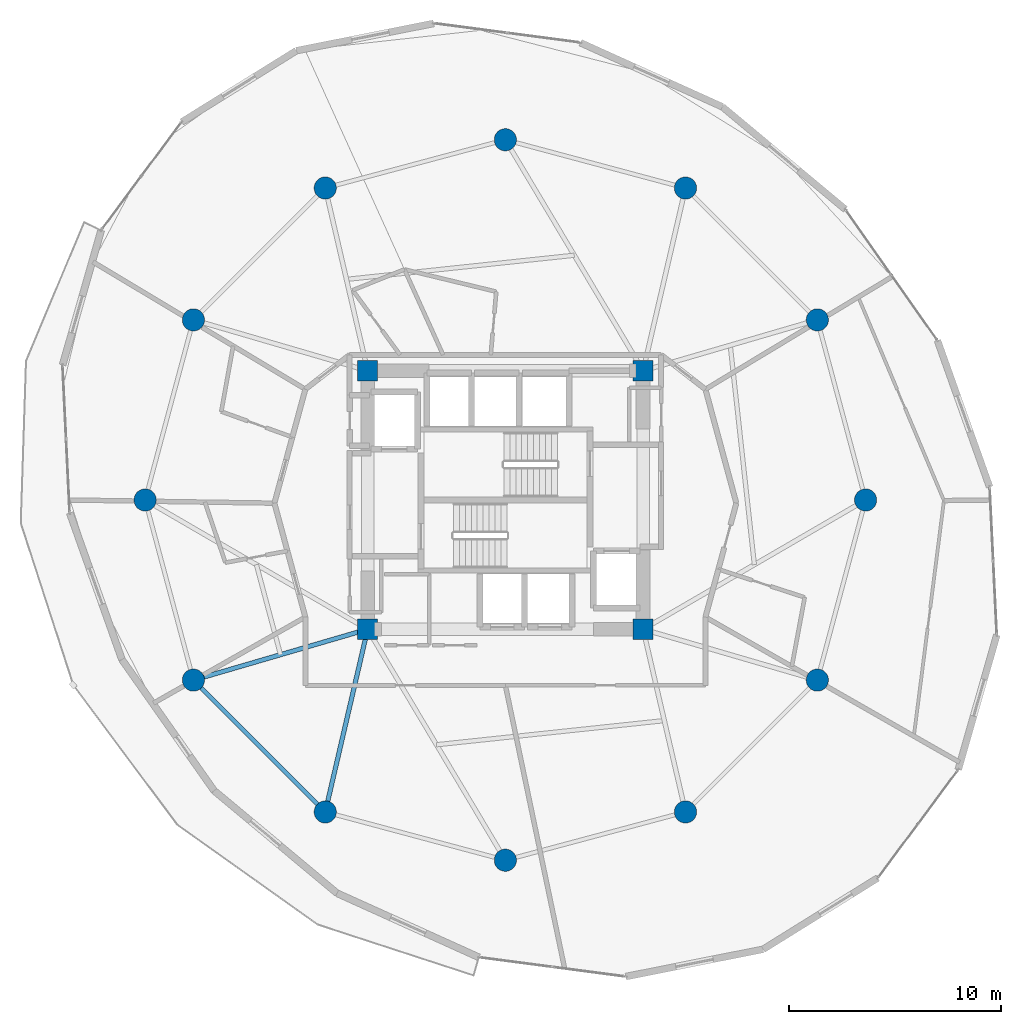
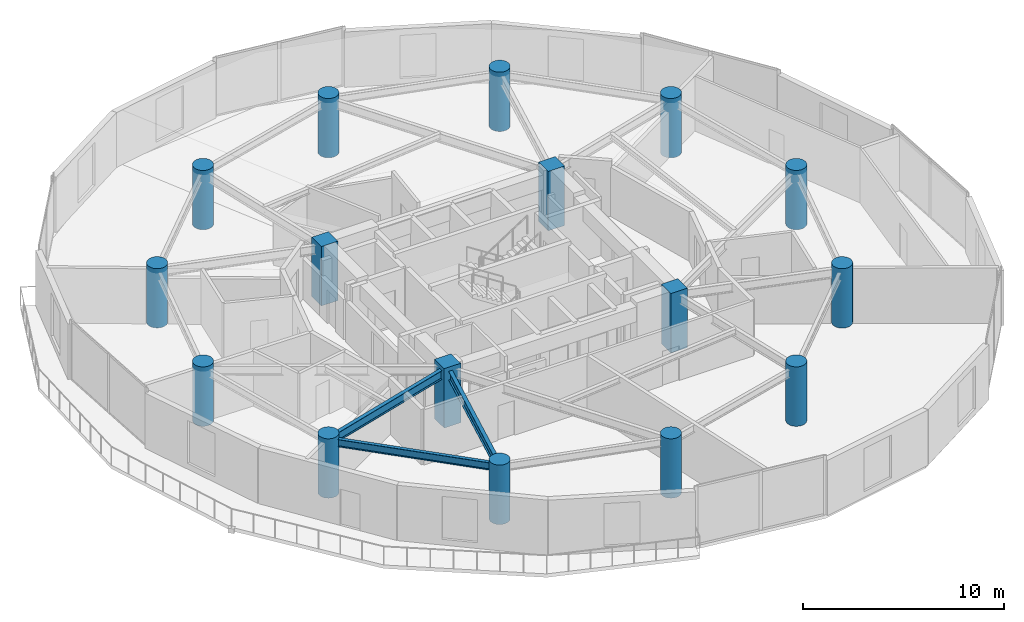
# One storey, part 1 of 22: 16 columns, 3 beams.
"""IFC4 building model written with IfcOpenShell, lengths in metres."""

from ifc_helpers import new_model, si_unit, direction, frame, origin, origin_2d, place, context, subcontext, project, spatial, rectangle, circle, i_section, extrude, material, material_profile, profile_set, type_object, element, save


model = new_model("IFC4")

# Units and contexts
model_context = context("Model", 3, precision=1e-05, world=origin(), true_north=direction((0.0, 1.0)))
body_context = subcontext(model_context, "Body", "Model", "MODEL_VIEW")
ifc_project = project(units=[si_unit("LENGTHUNIT", "METRE"), si_unit("AREAUNIT", "SQUARE_METRE"), si_unit("VOLUMEUNIT", "CUBIC_METRE"), si_unit("PLANEANGLEUNIT", "RADIAN"), si_unit("MASSUNIT", "GRAM", prefix="KILO")], contexts=[model_context])

# Site, building, storey
site_placement = place(None, origin())
site = spatial("IfcSite", under=ifc_project, at=site_placement, CompositionType="ELEMENT")
building_placement = place(site_placement, origin())
building = spatial("IfcBuilding", under=site, at=building_placement, Name="Solvirekh Grand Hotel", CompositionType="ELEMENT")
storey_placement = place(building_placement, frame((0.0, 0.0, 153.0)))
storey = spatial("IfcBuildingStorey", under=building, at=storey_placement, Name="L39", CompositionType="ELEMENT", Elevation=153.0)

# Columns
ifc_material_1 = material(Name="Concrete C50/60", Category="concrete")
ifc_material_profile_1 = material_profile(ifc_material_1, rectangle(XDim=0.949951171875, YDim=0.949951171875, at=origin_2d()), Name="RC 950X950")
ifc_profile_set_1 = profile_set([ifc_material_profile_1], Name="Concrete C50/60")
column_type_1 = type_object("IfcColumnType", Name="Col_Core_950", PredefinedType="COLUMN", material=ifc_profile_set_1)
for number, where, z_axis, x_axis, name in (
    (1, (-6.5, -6.10009765625, 0.0), (0.0, 0.0, 1.0), (1.0, 0.0, 0.0), "L39 core corner column CC1"),
    (2, (6.5, -6.10009765625, 0.0), (0.0, 0.0, 1.0), (1.0, 0.0, 0.0), "L39 core corner column CC2"),
    (3, (6.5, 6.10009765625, 0.0), (0.0, 0.0, 1.0), (1.0, 0.0, 0.0), "L39 core corner column CC3"),
    (4, (-6.5, 6.10009765625, 0.0), (0.0, 0.0, 1.0), (1.0, 0.0, 0.0), "L39 core corner column CC4"),
):
    element("IfcColumn", number, at=place(storey_placement, frame(where, z_axis=z_axis, x_axis=x_axis)), inside=storey, type_object=column_type_1, Name=name, PredefinedType="COLUMN", context=body_context, shape_type="SweptSolid", body=[
        extrude(rectangle(XDim=0.949951171875, YDim=0.949951171875, at=origin_2d()), origin(), (0.0, 0.0, 1.0), 3.60009765625),
    ])
ifc_material_profile_2 = material_profile(ifc_material_1, circle(Radius=0.52490234375, at=origin_2d()), Name="RC CIRC D1050")
ifc_profile_set_2 = profile_set([ifc_material_profile_2], Name="Concrete C50/60")
column_type_2 = type_object("IfcColumnType", Name="Col_Z2_D1050", PredefinedType="COLUMN", material=ifc_profile_set_2)
for number, where, z_axis, x_axis, name in (
    (5, (17.0, 0.0, 0.0), (0.0, 0.0, 1.0), (1.0, 0.0, 0.0), "L39 perimeter column P01"),
    (6, (14.721923828125, 8.5, 0.0), (0.0, 0.0, 1.0), (1.0, 0.0, 0.0), "L39 perimeter column P02"),
    (7, (8.5, 14.721923828125, 0.0), (0.0, 0.0, 1.0), (1.0, 0.0, 0.0), "L39 perimeter column P03"),
    (8, (0.0, 17.0, 0.0), (0.0, 0.0, 1.0), (1.0, 0.0, 0.0), "L39 perimeter column P04"),
    (9, (-8.5, 14.721923828125, 0.0), (0.0, 0.0, 1.0), (1.0, 0.0, 0.0), "L39 perimeter column P05"),
    (10, (-14.721923828125, 8.5, 0.0), (0.0, 0.0, 1.0), (1.0, 0.0, 0.0), "L39 perimeter column P06"),
    (11, (-17.0, 0.0, 0.0), (0.0, 0.0, 1.0), (1.0, 0.0, 0.0), "L39 perimeter column P07"),
    (12, (-14.721923828125, -8.5, 0.0), (0.0, 0.0, 1.0), (1.0, 0.0, 0.0), "L39 perimeter column P08"),
    (13, (-8.5, -14.721923828125, 0.0), (0.0, 0.0, 1.0), (1.0, 0.0, 0.0), "L39 perimeter column P09"),
    (14, (0.0, -17.0, 0.0), (0.0, 0.0, 1.0), (1.0, 0.0, 0.0), "L39 perimeter column P10"),
    (15, (8.5, -14.721923828125, 0.0), (0.0, 0.0, 1.0), (1.0, 0.0, 0.0), "L39 perimeter column P11"),
    (16, (14.721923828125, -8.5, 0.0), (0.0, 0.0, 1.0), (1.0, 0.0, 0.0), "L39 perimeter column P12"),
):
    element("IfcColumn", number, at=place(storey_placement, frame(where, z_axis=z_axis, x_axis=x_axis)), inside=storey, type_object=column_type_2, Name=name, PredefinedType="COLUMN", context=body_context, shape_type="SweptSolid", body=[
        extrude(circle(Radius=0.52490234375, at=origin_2d()), origin(), (0.0, 0.0, 1.0), 3.60009765625),
    ])

# Beams
ifc_material_2 = material(Name="Steel S355", Category="steel")
ifc_material_profile_3 = material_profile(ifc_material_2, i_section(OverallWidth=0.2119140625, OverallDepth=0.5439453125, WebThickness=0.011962890625, FlangeThickness=0.01904296875, FilletRadius=0.013916015625, at=origin_2d()), Name="W530X123")
ifc_profile_set_3 = profile_set([ifc_material_profile_3], Name="Steel S355")
beam_type_1 = type_object("IfcBeamType", Name="Beam_Radial_W530H", PredefinedType="BEAM", material=ifc_profile_set_3)
beam_1_placement = place(storey_placement, frame((-6.5, -6.10009765625, 3.077880859375), z_axis=(-0.959942195467, -0.28019811092, 0.0), x_axis=(0.28019811092, -0.959942195467, 0.0)))
element("IfcBeam", 17, at=beam_1_placement, inside=storey, type_object=beam_type_1, Name="L39 radial floor beam R08", PredefinedType="BEAM", context=body_context, shape_type="SweptSolid", body=[
    extrude(i_section(OverallWidth=0.2119140625, OverallDepth=0.5439453125, WebThickness=0.011962890625, FlangeThickness=0.01904296875, FilletRadius=0.013916015625, at=origin_2d()), origin(), (0.0, 0.0, 1.0), 8.56494140625),
])
beam_2_placement = place(storey_placement, frame((-6.5, -6.10009765625, 3.077880859375), z_axis=(-0.225969390542, -0.974134402707, 0.0), x_axis=(0.974134402707, -0.225969390542, 0.0)))
element("IfcBeam", 18, at=beam_2_placement, inside=storey, type_object=beam_type_1, Name="L39 radial floor beam R09", PredefinedType="BEAM", context=body_context, shape_type="SweptSolid", body=[
    extrude(i_section(OverallWidth=0.2119140625, OverallDepth=0.5439453125, WebThickness=0.011962890625, FlangeThickness=0.01904296875, FilletRadius=0.013916015625, at=origin_2d()), origin(), (0.0, 0.0, 1.0), 8.850830078125),
])
ifc_material_profile_4 = material_profile(ifc_material_2, i_section(OverallWidth=0.18994140625, OverallDepth=0.45703125, WebThickness=0.009033203125, FlangeThickness=0.013916015625, FilletRadius=0.012939453125, at=origin_2d()), Name="W460X74")
ifc_profile_set_4 = profile_set([ifc_material_profile_4], Name="Steel S355")
beam_type_2 = type_object("IfcBeamType", Name="Spandrel_Ring_W460", PredefinedType="SPANDREL", material=ifc_profile_set_4)
beam_3_placement = place(storey_placement, frame((-14.721923828125, -8.5, 3.12109375), z_axis=(0.707106781187, -0.707106781187, 0.0), x_axis=(0.707106781187, 0.707106781187, 0.0)))
element("IfcBeam", 19, at=beam_3_placement, inside=storey, type_object=beam_type_2, Name="L39 perimeter spandrel beam 8", PredefinedType="SPANDREL", context=body_context, shape_type="SweptSolid", body=[
    extrude(i_section(OverallWidth=0.18994140625, OverallDepth=0.45703125, WebThickness=0.009033203125, FlangeThickness=0.013916015625, FilletRadius=0.012939453125, at=origin_2d()), origin(), (0.0, 0.0, 1.0), 8.799072265625),
])

save(model, "model.ifc")
